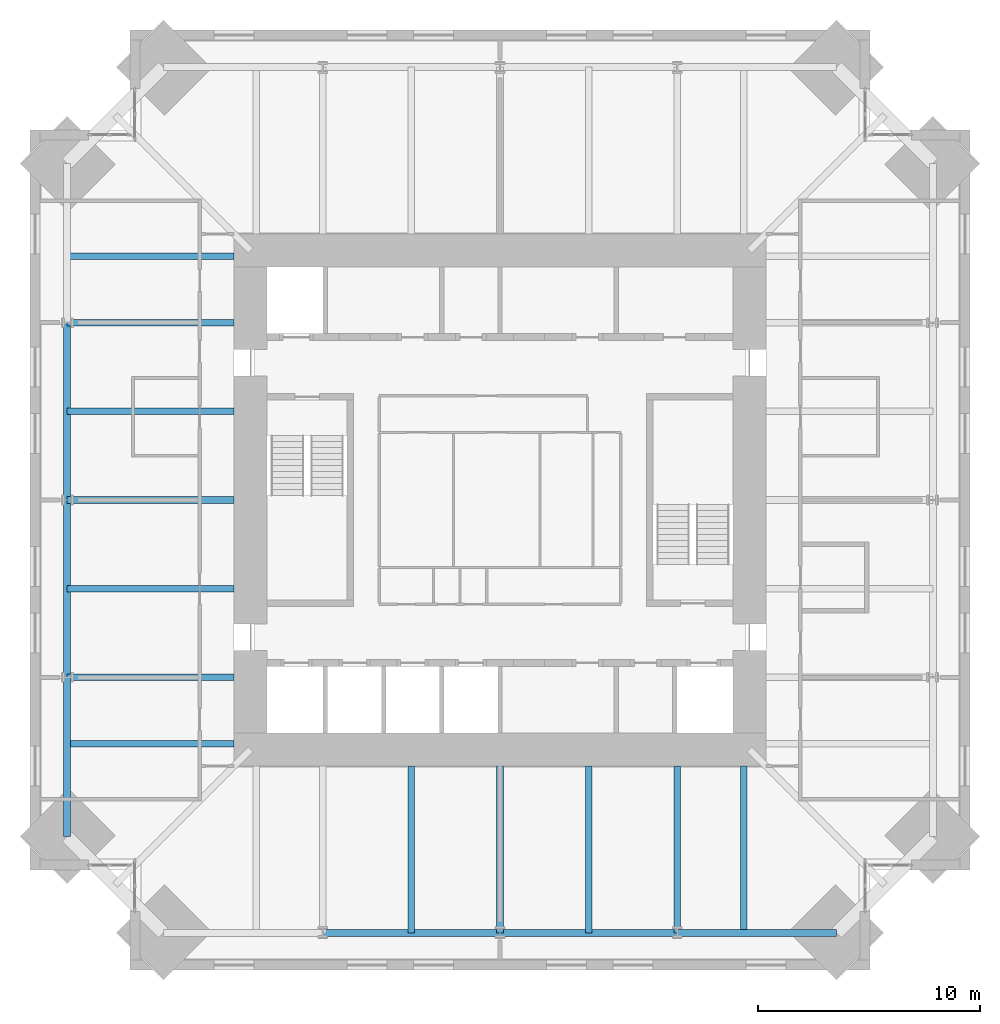
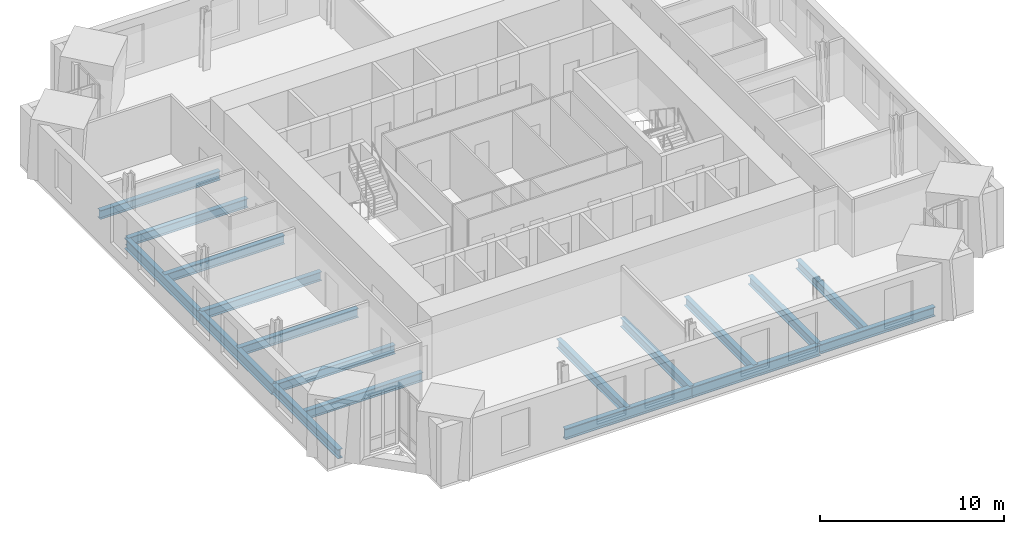
# One storey, part 3 of 15: 18 beams.
"""IFC4 building model written with IfcOpenShell, lengths in metres."""

from ifc_helpers import new_model, si_unit, direction, frame, origin, origin_2d, place, context, subcontext, project, spatial, i_section, extrude, material, material_profile, profile_set, type_object, element, save


model = new_model("IFC4")

# Units and contexts
model_context = context("Model", 3, precision=1e-05, world=origin(), true_north=direction((0.0, 1.0)))
body_context = subcontext(model_context, "Body", "Model", "MODEL_VIEW")
ifc_project = project(units=[si_unit("LENGTHUNIT", "METRE"), si_unit("AREAUNIT", "SQUARE_METRE"), si_unit("VOLUMEUNIT", "CUBIC_METRE"), si_unit("PLANEANGLEUNIT", "RADIAN"), si_unit("MASSUNIT", "GRAM", prefix="KILO")], contexts=[model_context])

# Site, building, storey
site_placement = place(None, origin())
site = spatial("IfcSite", under=ifc_project, at=site_placement, CompositionType="ELEMENT")
building_placement = place(site_placement, origin())
building = spatial("IfcBuilding", under=site, at=building_placement, Name="Peilmerk Tower", CompositionType="ELEMENT")
storey_placement = place(building_placement, frame((0.0, 0.0, 281.800048828125)))
storey = spatial("IfcBuildingStorey", under=building, at=storey_placement, Name="L63", CompositionType="ELEMENT", Elevation=281.800048828125)

# Beams
ifc_material = material(Name="Steel S355", Category="steel")
ifc_material_profile_1 = material_profile(ifc_material, i_section(OverallWidth=0.300048828125, OverallDepth=0.590087890625, WebThickness=0.012939453125, FlangeThickness=0.02490234375, at=origin_2d()), Name="HEA 600")
ifc_profile_set_1 = profile_set([ifc_material_profile_1], Name="Steel S355")
beam_type_1 = type_object("IfcBeamType", Name="B27 HEA 600 floor beam", PredefinedType="BEAM", material=ifc_profile_set_1)
for number, where, z_axis, x_axis, name in (
    (1, (-4.0, -12.0, -0.465087890625), (0.0, -1.0, 0.0), (1.0, 0.0, 0.0), "Floor beam L63"),
    (2, (0.0, -12.0, -0.465087890625), (0.0, -1.0, 0.0), (1.0, 0.0, 0.0), "Floor beam L63"),
    (3, (4.0, -12.0, -0.465087890625), (0.0, -1.0, 0.0), (1.0, 0.0, 0.0), "Floor beam L63"),
    (4, (8.0, -12.0, -0.465087890625), (0.0, -1.0, 0.0), (1.0, 0.0, 0.0), "Floor beam L63"),
    (5, (11.0, -12.0, -0.465087890625), (0.0, -1.0, 0.0), (1.0, 0.0, 0.0), "Floor beam L63"),
    (6, (-12.0, 11.0, -0.465087890625), (-1.0, 0.0, 0.0), (0.0, -1.0, 0.0), "Floor beam L63"),
    (7, (-12.0, 8.0, -0.465087890625), (-1.0, 0.0, 0.0), (0.0, -1.0, 0.0), "Floor beam L63"),
    (8, (-12.0, 4.0, -0.465087890625), (-1.0, 0.0, 0.0), (0.0, -1.0, 0.0), "Floor beam L63"),
    (9, (-12.0, 0.0, -0.465087890625), (-1.0, 0.0, 0.0), (0.0, -1.0, 0.0), "Floor beam L63"),
    (10, (-12.0, -4.0, -0.465087890625), (-1.0, 0.0, 0.0), (0.0, -1.0, 0.0), "Floor beam L63"),
    (11, (-12.0, -8.0, -0.465087890625), (-1.0, 0.0, 0.0), (0.0, -1.0, 0.0), "Floor beam L63"),
    (12, (-12.0, -11.0, -0.465087890625), (-1.0, 0.0, 0.0), (0.0, -1.0, 0.0), "Floor beam L63"),
):
    element("IfcBeam", number, at=place(storey_placement, frame(where, z_axis=z_axis, x_axis=x_axis)), inside=storey, type_object=beam_type_1, Name=name, PredefinedType="BEAM", context=body_context, shape_type="SweptSolid", body=[
        extrude(i_section(OverallWidth=0.300048828125, OverallDepth=0.590087890625, WebThickness=0.012939453125, FlangeThickness=0.02490234375, at=origin_2d()), origin(), (0.0, 0.0, 1.0), 7.533935546875),
    ])
ifc_material_profile_2 = material_profile(ifc_material, i_section(OverallWidth=0.303955078125, OverallDepth=0.716064453125, WebThickness=0.02099609375, FlangeThickness=0.0400390625, at=origin_2d()), Name="HEM 700")
ifc_profile_set_2 = profile_set([ifc_material_profile_2], Name="Steel S355")
beam_type_2 = type_object("IfcBeamType", Name="B30 HEM 700 edge beam", PredefinedType="SPANDREL", material=ifc_profile_set_2)
for number, where, z_axis, x_axis, name in (
    (13, (-8.0, -19.533935546875, -0.528076171875), (1.0, 0.0, 0.0), (0.0, 1.0, 0.0), "Edge beam L63"),
    (14, (0.0, -19.533935546875, -0.528076171875), (1.0, 0.0, 0.0), (0.0, 1.0, 0.0), "Edge beam L63"),
    (15, (-19.533935546875, 8.0, -0.528076171875), (0.0, -1.0, 0.0), (1.0, 0.0, 0.0), "Edge beam L63"),
    (16, (-19.533935546875, 0.0, -0.528076171875), (0.0, -1.0, 0.0), (1.0, 0.0, 0.0), "Edge beam L63"),
):
    element("IfcBeam", number, at=place(storey_placement, frame(where, z_axis=z_axis, x_axis=x_axis)), inside=storey, type_object=beam_type_2, Name=name, PredefinedType="SPANDREL", context=body_context, shape_type="SweptSolid", body=[
        extrude(i_section(OverallWidth=0.303955078125, OverallDepth=0.716064453125, WebThickness=0.02099609375, FlangeThickness=0.0400390625, at=origin_2d()), origin(), (0.0, 0.0, 1.0), 8.0),
    ])
ifc_material_profile_3 = material_profile(ifc_material, i_section(OverallWidth=0.304931640625, OverallDepth=0.6201171875, WebThickness=0.02099609375, FlangeThickness=0.0400390625, at=origin_2d()), Name="HEM 600")
ifc_profile_set_3 = profile_set([ifc_material_profile_3], Name="Steel S355")
beam_type_3 = type_object("IfcBeamType", Name="B31 HEM 600 edge beam", PredefinedType="SPANDREL", material=ifc_profile_set_3)
for number, where, z_axis, x_axis, name in (
    (17, (8.0, -19.533935546875, -0.47998046875), (1.0, 0.0, 0.0), (0.0, 1.0, 0.0), "Edge beam L63"),
    (18, (-19.533935546875, -8.0, -0.47998046875), (0.0, -1.0, 0.0), (1.0, 0.0, 0.0), "Edge beam L63"),
):
    element("IfcBeam", number, at=place(storey_placement, frame(where, z_axis=z_axis, x_axis=x_axis)), inside=storey, type_object=beam_type_3, Name=name, PredefinedType="SPANDREL", context=body_context, shape_type="SweptSolid", body=[
        extrude(i_section(OverallWidth=0.304931640625, OverallDepth=0.6201171875, WebThickness=0.02099609375, FlangeThickness=0.0400390625, at=origin_2d()), origin(), (0.0, 0.0, 1.0), 7.183837890625),
    ])

save(model, "model.ifc")
